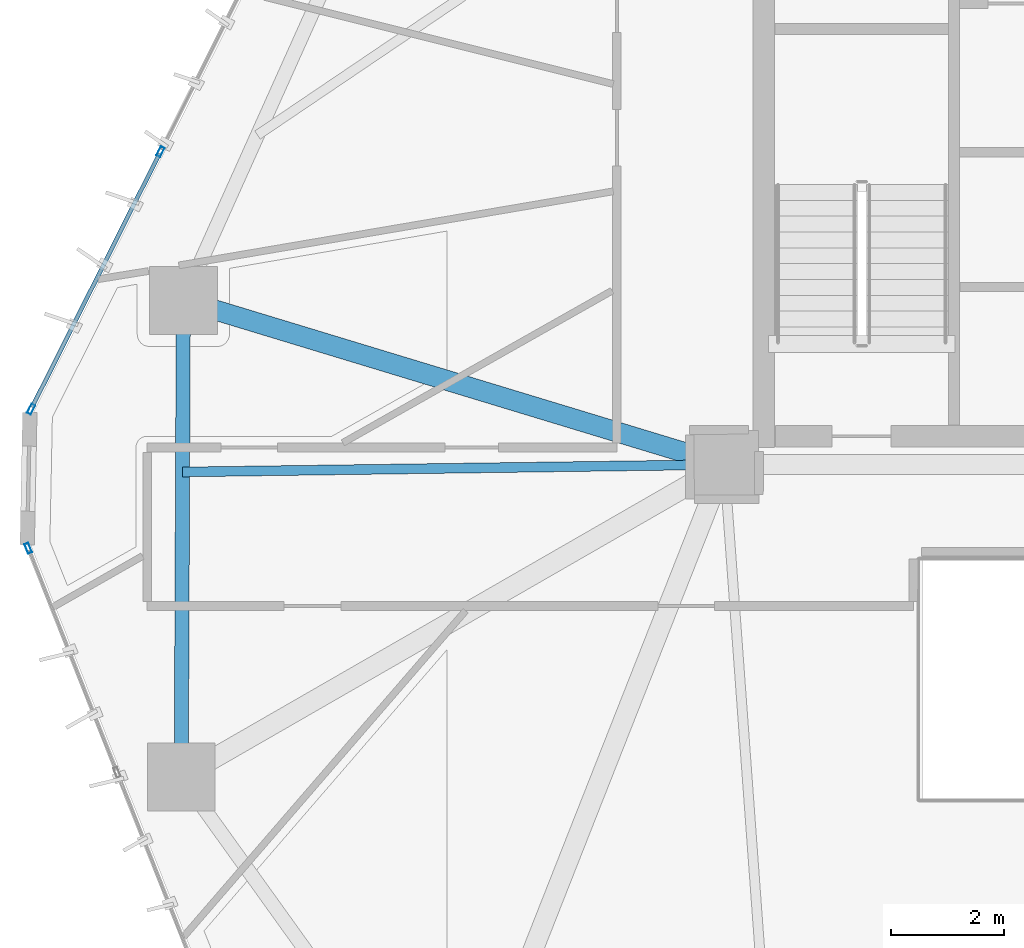
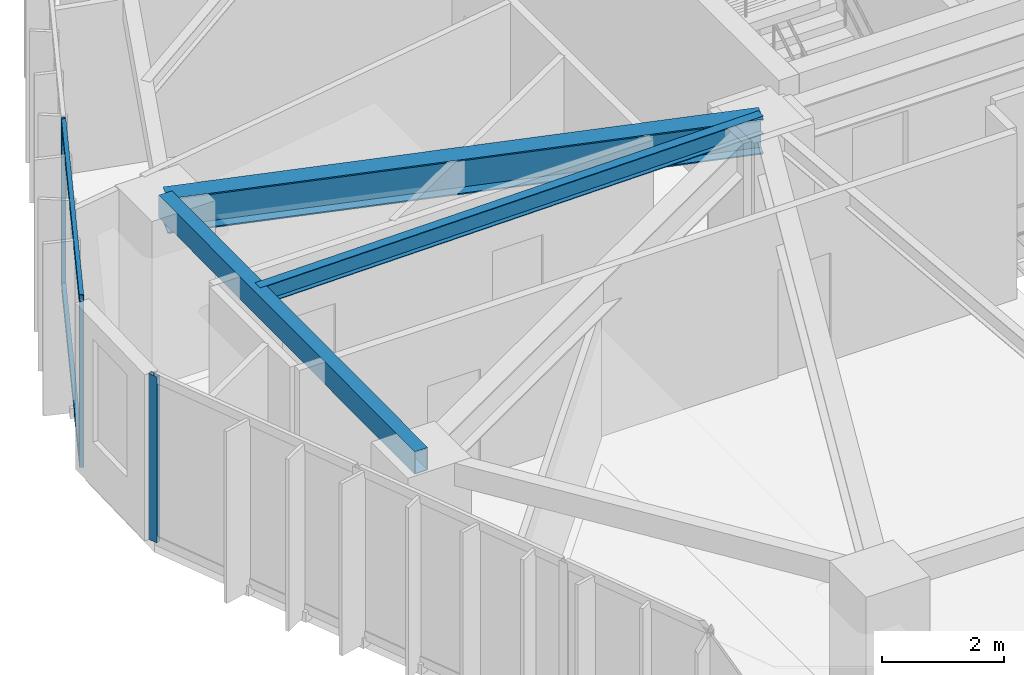
# One storey, part 7 of 21: 5 members, 3 beams, 2 elements without a shape of their own.
"""IFC4 building model written with IfcOpenShell, lengths in metres."""

from ifc_helpers import new_model, si_unit, direction, frame, origin, origin_2d, place, context, subcontext, project, spatial, hollow_rectangle, i_section, extrude, source, transform, mapped, material, layer, layer_set, material_profile, profile_set, type_object, type_shapes, element, aggregate, save


model = new_model("IFC4")

# Units and contexts
model_context = context("Model", 3, precision=1e-05, world=origin(), true_north=direction((0.0, 1.0)))
body_context = subcontext(model_context, "Body", "Model", "MODEL_VIEW")
ifc_project = project(units=[si_unit("LENGTHUNIT", "METRE"), si_unit("AREAUNIT", "SQUARE_METRE"), si_unit("VOLUMEUNIT", "CUBIC_METRE"), si_unit("PLANEANGLEUNIT", "RADIAN"), si_unit("MASSUNIT", "GRAM", prefix="KILO")], contexts=[model_context])

# Site, building, storey
site_placement = place(None, origin())
site = spatial("IfcSite", under=ifc_project, at=site_placement, CompositionType="ELEMENT")
building_placement = place(site_placement, origin())
building = spatial("IfcBuilding", under=site, at=building_placement, Name="Talar Marvaseh", CompositionType="ELEMENT")
storey_placement = place(building_placement, frame((0.0, 0.0, 147.0)))
storey = spatial("IfcBuildingStorey", under=building, at=storey_placement, Name="L38", CompositionType="ELEMENT", Elevation=147.0)

# Beams
ifc_material_1 = material(Name="Steel S355", Category="steel")
ifc_material_profile_1 = material_profile(ifc_material_1, hollow_rectangle(XDim=0.25, YDim=0.449951171875, WallThickness=0.01611328125, at=origin_2d()), Name="RHS450x250x16")
ifc_profile_set_1 = profile_set([ifc_material_profile_1], Name="Steel S355")
beam_type_1 = type_object("IfcBeamType", Name="Zone 2 Perimeter Spandrel Beam RHS450x250x16", PredefinedType="SPANDREL", material=ifc_profile_set_1)
beam_1_placement = place(storey_placement, frame((9.10107421875, 19.97705078125, 3.0849609375), z_axis=(0.004375628226, 0.999990426893, 0.0), x_axis=(-0.999990426893, 0.004375628226, 0.0)))
element("IfcBeam", 1, at=beam_1_placement, inside=storey, type_object=beam_type_1, Name="L38 Zone 2 Perimeter Spandrel Beam RHS450x250x16", PredefinedType="SPANDREL", context=body_context, shape_type="SweptSolid", body=[
    extrude(hollow_rectangle(XDim=0.25, YDim=0.449951171875, WallThickness=0.01611328125, at=origin_2d()), origin(), (0.0, 0.0, 1.0), 8.425048828125),
])
ifc_material_profile_2 = material_profile(ifc_material_1, i_section(OverallWidth=0.35498046875, OverallDepth=0.695068359375, WebThickness=0.015380859375, FlangeThickness=0.02490234375, at=origin_2d()), Name="W690x217")
ifc_profile_set_2 = profile_set([ifc_material_profile_2], Name="Steel S355")
beam_type_2 = type_object("IfcBeamType", Name="Zone 2 Radial Floor Girder W690x217", PredefinedType="BEAM", material=ifc_profile_set_2)
beam_2_placement = place(storey_placement, frame((9.137939453125, 28.402099609375, 2.96240234375), z_axis=(0.956898764921, -0.290421682546, 0.0), x_axis=(0.290421682546, 0.956898764921, 0.0)))
element("IfcBeam", 2, at=beam_2_placement, inside=storey, type_object=beam_type_2, Name="L38 Zone 2 Radial Floor Girder W690x217", PredefinedType="BEAM", context=body_context, shape_type="SweptSolid", body=[
    extrude(i_section(OverallWidth=0.35498046875, OverallDepth=0.695068359375, WebThickness=0.015380859375, FlangeThickness=0.02490234375, at=origin_2d()), origin(), (0.0, 0.0, 1.0), 9.99267578125),
])
ifc_material_profile_3 = material_profile(ifc_material_1, i_section(OverallWidth=0.172119140625, OverallDepth=0.35791015625, WebThickness=0.0078125, FlangeThickness=0.01318359375, at=origin_2d()), Name="W360x57")
ifc_profile_set_3 = profile_set([ifc_material_profile_3], Name="Steel S355")
beam_type_3 = type_object("IfcBeamType", Name="Zone 2 Secondary Floor Joist W360x57", PredefinedType="JOIST", material=ifc_profile_set_3)
beam_3_placement = place(storey_placement, frame((9.124755859375, 25.368896484375, 3.131103515625), z_axis=(0.999906277829, 0.013690710637, 0.0), x_axis=(-0.013690710637, 0.999906277829, 0.0)))
element("IfcBeam", 3, at=beam_3_placement, inside=storey, type_object=beam_type_3, Name="L38 Zone 2 Secondary Floor Joist W360x57", PredefinedType="JOIST", context=body_context, shape_type="SweptSolid", body=[
    extrude(i_section(OverallWidth=0.172119140625, OverallDepth=0.35791015625, WebThickness=0.0078125, FlangeThickness=0.01318359375, at=origin_2d()), origin(), (0.0, 0.0, 1.0), 9.576171875),
])

# Curtain wall, member
ifc_material_2 = material(Name="Architectural Aluminium", Category="aluminium")
ifc_layer = layer(ifc_material_2, 0.199951171875)
ifc_layer_set = layer_set([ifc_layer], Name="Architectural Aluminium")
curtain_wall_type = type_object("IfcCurtainWallType", Name="Unitised Acoustic Library Curtain Wall Z2", PredefinedType="NOTDEFINED", material=ifc_layer_set)
curtain_wall_1_placement = place(storey_placement, origin())
curtain_wall_1 = element("IfcCurtainWall", 4, at=curtain_wall_1_placement, inside=storey, type_object=curtain_wall_type, Name="L38 Unitised Acoustic Library Curtain Wall Z2", PredefinedType="NOTDEFINED")
ifc_material_profile_4 = material_profile(ifc_material_2, hollow_rectangle(XDim=0.074951171875, YDim=0.179931640625, WallThickness=0.0048828125, at=origin_2d()), Name="RHS180x75x5")
ifc_profile_set_4 = profile_set([ifc_material_profile_4], Name="Architectural Aluminium")
member_type_1 = type_object("IfcMemberType", Name="Unitised Curtain Wall Standard Mullion RHS180x75x5", PredefinedType="MULLION", material=ifc_profile_set_4)
shared_shape_1 = source(origin(), body_context, "Body", "SweptSolid", [
    extrude(hollow_rectangle(XDim=0.074951171875, YDim=0.179931640625, WallThickness=0.0048828125, at=origin_2d()), origin(), (0.0, 0.0, 1.0), 3.31005859375),
])
type_shapes(member_type_1, [shared_shape_1])
member_1_placement = place(storey_placement, frame((6.396484375, 24.02197265625, 0.0), z_axis=(0.0, 0.0, 1.0), x_axis=(-0.929802175625, -0.368059661202, 0.0)))
member_1 = element("IfcMember", 5, at=member_1_placement, type_object=member_type_1, Name="CW-Z2 mullion 5", PredefinedType="MULLION", context=body_context, shape_type="MappedRepresentation", body=[
    mapped(shared_shape_1, transform((0.0, 0.0, 0.0), x_axis=(1.0, 0.0, 0.0), y_axis=(0.0, 1.0, 0.0), z_axis=(0.0, 0.0, 1.0), scale=1.0)),
])
aggregate(curtain_wall_1, [member_1])

# Curtain wall, members
curtain_wall_2_placement = place(storey_placement, origin())
curtain_wall_2 = element("IfcCurtainWall", 6, at=curtain_wall_2_placement, inside=storey, type_object=curtain_wall_type, Name="L38 Unitised Acoustic Library Curtain Wall Z2", PredefinedType="NOTDEFINED")
member_2_placement = place(storey_placement, frame((6.44775390625, 26.479736328125, 0.0), z_axis=(0.0, 0.0, 1.0), x_axis=(-0.893514361741, 0.449034614883, 0.0)))
member_2 = element("IfcMember", 7, at=member_2_placement, type_object=member_type_1, Name="CW-Z2 mullion 1", PredefinedType="MULLION", context=body_context, shape_type="MappedRepresentation", body=[
    mapped(shared_shape_1, transform((0.0, 0.0, 0.0), x_axis=(1.0, 0.0, 0.0), y_axis=(0.0, 1.0, 0.0), z_axis=(0.0, 0.0, 1.0), scale=1.0)),
])
member_3_placement = place(storey_placement, frame((8.734375, 31.030029296875, 0.0), z_axis=(0.0, 0.0, 1.0), x_axis=(-0.893514361741, 0.449034614883, 0.0)))
member_3 = element("IfcMember", 8, at=member_3_placement, type_object=member_type_1, Name="CW-Z2 mullion 2", PredefinedType="MULLION", context=body_context, shape_type="MappedRepresentation", body=[
    mapped(shared_shape_1, transform((0.0, 0.0, 0.0), x_axis=(1.0, 0.0, 0.0), y_axis=(0.0, 1.0, 0.0), z_axis=(0.0, 0.0, 1.0), scale=1.0)),
])
ifc_material_profile_5 = material_profile(ifc_material_2, hollow_rectangle(XDim=0.074951171875, YDim=0.179931640625, WallThickness=0.0048828125, at=origin_2d()), Name="RHS180x75x5")
ifc_profile_set_5 = profile_set([ifc_material_profile_5], Name="Architectural Aluminium")
member_type_2 = type_object("IfcMemberType", Name="Unitised Curtain Wall Transom RHS180x75x5", PredefinedType="USERDEFINED", material=ifc_profile_set_5)
shared_shape_2 = source(origin(), body_context, "Body", "SweptSolid", [
    extrude(hollow_rectangle(XDim=0.074951171875, YDim=0.179931640625, WallThickness=0.0048828125, at=origin_2d()), origin(), (0.0, 0.0, 1.0), 5.017333984375),
])
type_shapes(member_type_2, [shared_shape_2])
member_4_placement = place(storey_placement, frame((6.464599609375, 26.51318359375, 0.03759765625), z_axis=(0.449022784548, 0.893520306964, 0.0), x_axis=(-0.893520306964, 0.449022784548, 0.0)))
member_4 = element("IfcMember", 9, at=member_4_placement, type_object=member_type_2, Name="CW-Z2 transom 1.1", ObjectType="TRANSOM", PredefinedType="USERDEFINED", context=body_context, shape_type="MappedRepresentation", body=[
    mapped(shared_shape_2, transform((0.0, 0.0, 0.0), x_axis=(1.0, 0.0, 0.0), y_axis=(0.0, 1.0, 0.0), z_axis=(0.0, 0.0, 1.0), scale=1.0)),
])
member_5_placement = place(storey_placement, frame((6.464599609375, 26.51318359375, 3.2724609375), z_axis=(0.449022784548, 0.893520306964, 0.0), x_axis=(-0.893520306964, 0.449022784548, 0.0)))
member_5 = element("IfcMember", 10, at=member_5_placement, type_object=member_type_2, Name="CW-Z2 transom 1.2", ObjectType="TRANSOM", PredefinedType="USERDEFINED", context=body_context, shape_type="MappedRepresentation", body=[
    mapped(shared_shape_2, transform((0.0, 0.0, 0.0), x_axis=(1.0, 0.0, 0.0), y_axis=(0.0, 1.0, 0.0), z_axis=(0.0, 0.0, 1.0), scale=1.0)),
])
aggregate(curtain_wall_2, [member_2, member_3, member_4, member_5])

save(model, "model.ifc")
